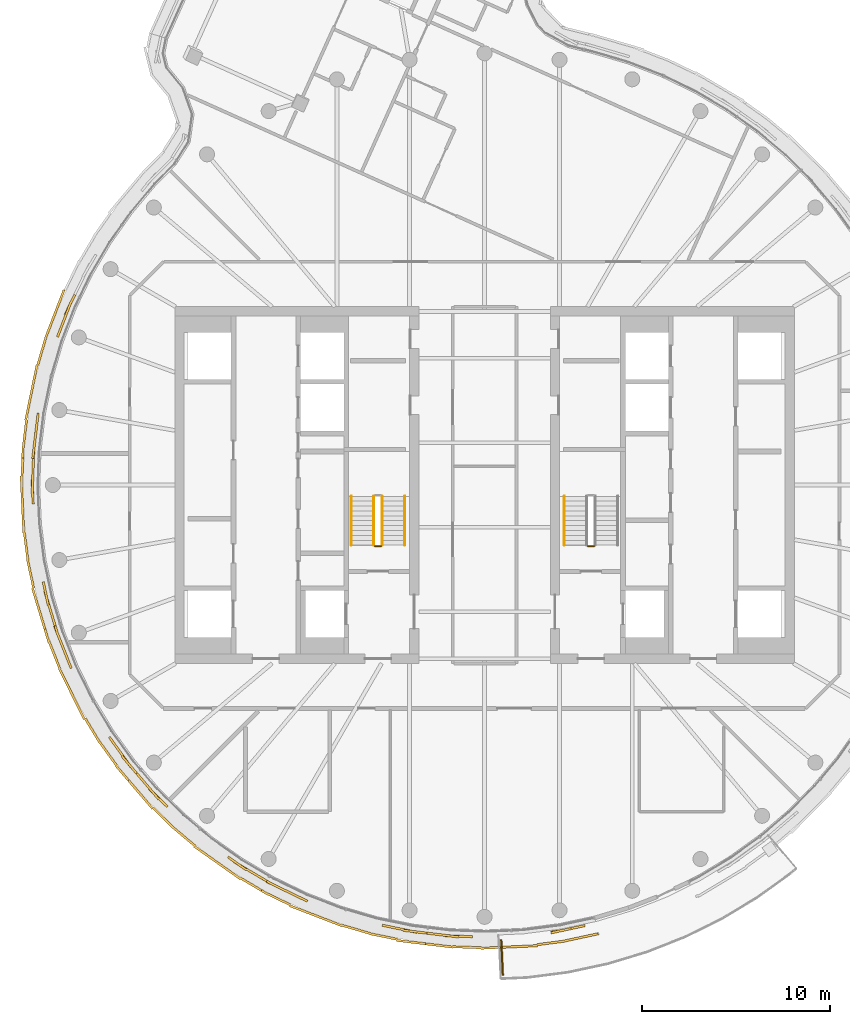
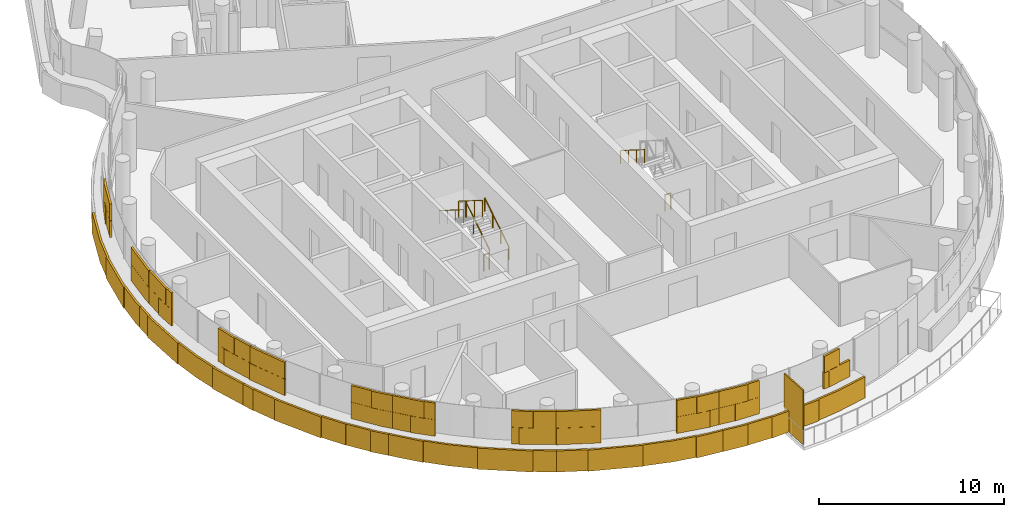
# One storey, part 17 of 21: 7 railings, 6 coverings, 1 shading device.
"""IFC4 building model written with IfcOpenShell, lengths in metres."""

from ifc_helpers import new_model, si_unit, direction, frame, origin, origin_2d, place, context, subcontext, project, spatial, rectangle, circle, extrude, material, layer, layer_set, type_object, element, save


model = new_model("IFC4")

# Units and contexts
model_context = context("Model", 3, precision=1e-05, world=origin(), true_north=direction((0.0, 1.0)))
body_context = subcontext(model_context, "Body", "Model", "MODEL_VIEW")
ifc_project = project(units=[si_unit("LENGTHUNIT", "METRE"), si_unit("AREAUNIT", "SQUARE_METRE"), si_unit("VOLUMEUNIT", "CUBIC_METRE"), si_unit("PLANEANGLEUNIT", "RADIAN"), si_unit("MASSUNIT", "GRAM", prefix="KILO")], contexts=[model_context])

# Site, building, storey
site_placement = place(None, origin())
site = spatial("IfcSite", under=ifc_project, at=site_placement, CompositionType="ELEMENT")
building_placement = place(site_placement, origin())
building = spatial("IfcBuilding", under=site, at=building_placement, Name="Tamarind Cross Interchange Tower", CompositionType="ELEMENT")
storey_placement = place(building_placement, frame((0.0, 0.0, 271.199951171875)))
storey = spatial("IfcBuildingStorey", under=building, at=storey_placement, Name="L69", CompositionType="ELEMENT", Elevation=271.199951171875)

# Shading device
ifc_material_1 = material(Name="Bronze-finish aluminium louvre", Category="aluminium")
ifc_layer_1 = layer(ifc_material_1, 0.080078125)
ifc_layer_set_1 = layer_set([ifc_layer_1], Name="Bronze-finish aluminium louvre")
shading_device_type = type_object("IfcShadingDeviceType", Name="Operable louvre bay", PredefinedType="JALOUSIE", material=ifc_layer_set_1)
shading_device_placement = place(storey_placement, origin())
element("IfcShadingDevice", 1, at=shading_device_placement, inside=storey, type_object=shading_device_type, Name="LVR-L69-BAL01", PredefinedType="JALOUSIE", context=body_context, shape_type="SweptSolid", body=[
    extrude(rectangle(XDim=1.89990234375, YDim=0.080078125, at=origin_2d()), frame((0.9287109375, -25.1591796875, 0.0), z_axis=(0.0, 0.0, 1.0), x_axis=(0.045624486728, -0.998958660912, 0.0)), (0.0, 0.0, 1.0), 3.60009765625),
])

# Railings
ifc_material_2 = material(Name="Stair guard")
railing_type_1 = type_object("IfcRailingType", Name="Stair guard", PredefinedType="GUARDRAIL", material=ifc_material_2)
railing_1_placement = place(storey_placement, frame((-5.449951171875, -3.199951171875, 0.16357421875)))
element("IfcRailing", 2, at=railing_1_placement, inside=storey, type_object=railing_type_1, Name="L69 ST1 stair guard 1", PredefinedType="GUARDRAIL", context=body_context, shape_type="SweptSolid", body=[
    extrude(circle(Radius=0.02392578125, at=origin_2d()), frame((0.0, 0.0, 1.076171875), z_axis=(0.0, 0.846301844409, 0.532703658848), x_axis=(-1.0, 0.0, 0.0)), (0.0, 0.0, 1.0), 3.072021484375),
    extrude(circle(Radius=0.02099609375, at=origin_2d()), origin(), (0.0, 0.0, 1.0), 1.052001953125),
    extrude(circle(Radius=0.02099609375, at=origin_2d()), frame((0.0, 0.86669921875, 0.54541015625)), (0.0, 0.0, 1.0), 1.052001953125),
    extrude(circle(Radius=0.02099609375, at=origin_2d()), frame((0.0, 1.733154296875, 1.091064453125)), (0.0, 0.0, 1.0), 1.052001953125),
    extrude(circle(Radius=0.02099609375, at=origin_2d()), frame((0.0, 2.599853515625, 1.636474609375)), (0.0, 0.0, 1.0), 1.052001953125),
])
railing_2_placement = place(storey_placement, frame((-5.89990234375, -0.60009765625, 1.963623046875)))
element("IfcRailing", 3, at=railing_2_placement, inside=storey, type_object=railing_type_1, Name="L69 ST1 stair guard 3", PredefinedType="GUARDRAIL", context=body_context, shape_type="SweptSolid", body=[
    extrude(circle(Radius=0.02392578125, at=origin_2d()), frame((0.0, 0.0, 1.076171875), z_axis=(0.0, -0.846301844409, 0.532703658848), x_axis=(1.0, 0.0, 0.0)), (0.0, 0.0, 1.0), 3.072021484375),
    extrude(circle(Radius=0.02099609375, at=origin_2d()), origin(), (0.0, 0.0, 1.0), 1.052001953125),
    extrude(circle(Radius=0.02099609375, at=origin_2d()), frame((0.0, -0.86669921875, 0.54541015625)), (0.0, 0.0, 1.0), 1.052001953125),
    extrude(circle(Radius=0.02099609375, at=origin_2d()), frame((0.0, -1.733154296875, 1.091064453125)), (0.0, 0.0, 1.0), 1.052001953125),
    extrude(circle(Radius=0.02099609375, at=origin_2d()), frame((0.0, -2.599853515625, 1.636474609375)), (0.0, 0.0, 1.0), 1.052001953125),
])
for number, where, name in (
    (4, (-5.5, -3.25, 0.0), "L69 ST1 stair guard 4"),
    (5, (5.85009765625, -3.25, 0.0), "L69 ST2 stair guard 4"),
):
    element("IfcRailing", number, at=place(storey_placement, frame(where)), inside=storey, type_object=railing_type_1, Name=name, PredefinedType="GUARDRAIL", context=body_context, shape_type="SweptSolid", body=[
        extrude(circle(Radius=0.02392578125, at=origin_2d()), frame((0.0, 0.0, 1.076171875), z_axis=(-1.0, 0.0, 0.0), x_axis=(0.0, -1.0, 0.0)), (0.0, 0.0, 1.0), 0.35009765625),
        extrude(circle(Radius=0.02099609375, at=origin_2d()), origin(), (0.0, 0.0, 1.0), 1.052001953125),
        extrude(circle(Radius=0.02099609375, at=origin_2d()), frame((-0.35009765625, 0.0, 0.0)), (0.0, 0.0, 1.0), 1.052001953125),
    ])
ifc_material_3 = material(Name="Stair handrail")
railing_type_2 = type_object("IfcRailingType", Name="Stair handrail", PredefinedType="HANDRAIL", material=ifc_material_3)
railing_3_placement = place(storey_placement, frame((-4.25, -3.199951171875, 0.16357421875)))
element("IfcRailing", 6, at=railing_3_placement, inside=storey, type_object=railing_type_2, Name="L69 ST1 stair handrail 1", PredefinedType="HANDRAIL", context=body_context, shape_type="SweptSolid", body=[
    extrude(circle(Radius=0.02392578125, at=origin_2d()), frame((0.0, 0.0, 0.8759765625), z_axis=(0.0, 0.846301844409, 0.532703658848), x_axis=(-1.0, 0.0, 0.0)), (0.0, 0.0, 1.0), 3.072021484375),
    extrude(circle(Radius=0.02099609375, at=origin_2d()), origin(), (0.0, 0.0, 1.0), 0.851806640625),
    extrude(circle(Radius=0.02099609375, at=origin_2d()), frame((0.0, 0.86669921875, 0.54541015625)), (0.0, 0.0, 1.0), 0.851806640625),
    extrude(circle(Radius=0.02099609375, at=origin_2d()), frame((0.0, 1.733154296875, 1.091064453125)), (0.0, 0.0, 1.0), 0.851806640625),
    extrude(circle(Radius=0.02099609375, at=origin_2d()), frame((0.0, 2.599853515625, 1.636474609375)), (0.0, 0.0, 1.0), 0.851806640625),
])
for number, where, name in (
    (7, (-7.10009765625, -0.60009765625, 1.963623046875), "L69 ST1 stair handrail 2"),
    (8, (4.25, -0.60009765625, 1.963623046875), "L69 ST2 stair handrail 2"),
):
    element("IfcRailing", number, at=place(storey_placement, frame(where)), inside=storey, type_object=railing_type_2, Name=name, PredefinedType="HANDRAIL", context=body_context, shape_type="SweptSolid", body=[
        extrude(circle(Radius=0.02392578125, at=origin_2d()), frame((0.0, 0.0, 0.8759765625), z_axis=(0.0, -0.846301844409, 0.532703658848), x_axis=(1.0, 0.0, 0.0)), (0.0, 0.0, 1.0), 3.072021484375),
        extrude(circle(Radius=0.02099609375, at=origin_2d()), origin(), (0.0, 0.0, 1.0), 0.851806640625),
        extrude(circle(Radius=0.02099609375, at=origin_2d()), frame((0.0, -0.86669921875, 0.54541015625)), (0.0, 0.0, 1.0), 0.851806640625),
        extrude(circle(Radius=0.02099609375, at=origin_2d()), frame((0.0, -1.733154296875, 1.091064453125)), (0.0, 0.0, 1.0), 0.851806640625),
        extrude(circle(Radius=0.02099609375, at=origin_2d()), frame((0.0, -2.599853515625, 1.636474609375)), (0.0, 0.0, 1.0), 0.851806640625),
    ])

# Coverings
ifc_material_4 = material(Name="Terracotta", Category="masonry")
ifc_layer_2 = layer(ifc_material_4, 0.1201171875)
ifc_layer_set_2 = layer_set([ifc_layer_2], Name="Terracotta")
covering_type = type_object("IfcCoveringType", Name="Terracotta baguette screen unit", PredefinedType="MOLDING", material=ifc_layer_set_2)
covering_1_placement = place(storey_placement, origin())
element("IfcCovering", 9, at=covering_1_placement, inside=storey, type_object=covering_type, Name="SCR-L69-01-02", PredefinedType="MOLDING", context=body_context, shape_type="SweptSolid", body=[
    extrude(rectangle(XDim=1.186279296875, YDim=0.1201171875, at=origin_2d()), frame((-22.087646484375, 9.60302734375, 1.40380859375), z_axis=(0.0, 0.0, 1.0), x_axis=(-0.435326231914, -0.900272776334, 0.0)), (0.0, 0.0, 1.0), 1.092041015625),
    extrude(rectangle(XDim=1.2548828125, YDim=0.1201171875, at=origin_2d()), frame((-22.52490234375, 8.47412109375, 1.40380859375), z_axis=(0.0, 0.0, 1.0), x_axis=(-0.359495435512, -0.933146843667, 0.0)), (0.0, 0.0, 1.0), 1.092041015625),
    extrude(rectangle(XDim=0.56494140625, YDim=0.1201171875, at=origin_2d()), frame((-23.811767578125, 3.55126953125, 1.40380859375), z_axis=(0.0, 0.0, 1.0), x_axis=(-0.119420963295, -0.992843710523, 0.0)), (0.0, 0.0, 1.0), 1.092041015625),
    extrude(rectangle(XDim=1.52001953125, YDim=0.1201171875, at=origin_2d()), frame((-23.9345703125, 2.531005859375, 1.40380859375), z_axis=(0.0, 0.0, 1.0), x_axis=(-0.119420963295, -0.992843710523, 0.0)), (0.0, 0.0, 1.0), 1.092041015625),
    extrude(rectangle(XDim=0.376220703125, YDim=0.1201171875, at=origin_2d()), frame((-24.0224609375, 1.602783203125, 1.40380859375), z_axis=(0.0, 0.0, 1.0), x_axis=(-0.037024696392, -0.999314350871, 0.0)), (0.0, 0.0, 1.0), 1.092041015625),
    extrude(rectangle(XDim=0.436279296875, YDim=0.1201171875, at=origin_2d()), frame((-21.924560546875, 9.940673828125, 2.50390625), z_axis=(0.0, 0.0, 1.0), x_axis=(-0.435326231914, -0.900272776334, 0.0)), (0.0, 0.0, 1.0), 1.092041015625),
    extrude(rectangle(XDim=1.52001953125, YDim=0.1201171875, at=origin_2d()), frame((-22.301025390625, 9.05517578125, 2.50390625), z_axis=(0.0, 0.0, 1.0), x_axis=(-0.359495435512, -0.933146843667, 0.0)), (0.0, 0.0, 1.0), 1.092041015625),
    extrude(rectangle(XDim=0.5048828125, YDim=0.1201171875, at=origin_2d()), frame((-22.65966796875, 8.124267578125, 2.50390625), z_axis=(0.0, 0.0, 1.0), x_axis=(-0.359495435512, -0.933146843667, 0.0)), (0.0, 0.0, 1.0), 1.092041015625),
    extrude(rectangle(XDim=1.31494140625, YDim=0.1201171875, at=origin_2d()), frame((-23.8564453125, 3.178955078125, 2.50390625), z_axis=(0.0, 0.0, 1.0), x_axis=(-0.119420963295, -0.992843710523, 0.0)), (0.0, 0.0, 1.0), 1.092041015625),
    extrude(rectangle(XDim=1.126220703125, YDim=0.1201171875, at=origin_2d()), frame((-24.001220703125, 1.97705078125, 2.50390625), z_axis=(0.0, 0.0, 1.0), x_axis=(-0.119420963295, -0.992843710523, 0.0)), (0.0, 0.0, 1.0), 1.092041015625),
    extrude(rectangle(XDim=1.260009765625, YDim=0.1201171875, at=origin_2d()), frame((-22.62646484375, 9.80712890625, 0.00390625), z_axis=(0.0, 0.0, 1.0), x_axis=(-0.359495435512, -0.933146843667, 0.0)), (0.0, 0.0, 1.0), 1.39208984375),
    extrude(rectangle(XDim=1.52001953125, YDim=0.1201171875, at=origin_2d()), frame((-23.119140625, 8.528564453125, 0.00390625), z_axis=(0.0, 0.0, 1.0), x_axis=(-0.359495435512, -0.933146843667, 0.0)), (0.0, 0.0, 1.0), 1.39208984375),
    extrude(rectangle(XDim=1.52001953125, YDim=0.1201171875, at=origin_2d()), frame((-23.593017578125, 7.10693359375, 0.00390625), z_axis=(0.0, 0.0, 1.0), x_axis=(-0.281208920763, -0.95964657186, 0.0)), (0.0, 0.0, 1.0), 1.39208984375),
    extrude(rectangle(XDim=1.52001953125, YDim=0.1201171875, at=origin_2d()), frame((-23.9912109375, 5.661376953125, 0.00390625), z_axis=(0.0, 0.0, 1.0), x_axis=(-0.201001463943, -0.9795909409, 0.0)), (0.0, 0.0, 1.0), 1.39208984375),
    extrude(rectangle(XDim=1.52001953125, YDim=0.1201171875, at=origin_2d()), frame((-24.292724609375, 4.192138671875, 0.00390625), z_axis=(0.0, 0.0, 1.0), x_axis=(-0.201001463943, -0.9795909409, 0.0)), (0.0, 0.0, 1.0), 1.39208984375),
    extrude(rectangle(XDim=1.52001953125, YDim=0.1201171875, at=origin_2d()), frame((-24.491455078125, 2.7060546875, 0.00390625), z_axis=(0.0, 0.0, 1.0), x_axis=(-0.119420963295, -0.992843710523, 0.0)), (0.0, 0.0, 1.0), 1.39208984375),
    extrude(rectangle(XDim=0.518310546875, YDim=0.1201171875, at=origin_2d()), frame((-24.593017578125, 1.712646484375, 0.00390625), z_axis=(0.0, 0.0, 1.0), x_axis=(-0.037024696392, -0.999314350871, 0.0)), (0.0, 0.0, 1.0), 1.39208984375),
])
covering_2_placement = place(storey_placement, origin())
element("IfcCovering", 10, at=covering_2_placement, inside=storey, type_object=covering_type, Name="SCR-L69-01-03", PredefinedType="MOLDING", context=body_context, shape_type="SweptSolid", body=[
    extrude(rectangle(XDim=1.143798828125, YDim=0.1201171875, at=origin_2d()), frame((-24.05029296875, 0.853271484375, 1.40380859375), z_axis=(0.0, 0.0, 1.0), x_axis=(-0.037024696392, -0.999314350871, 0.0)), (0.0, 0.0, 1.0), 1.092041015625),
    extrude(rectangle(XDim=1.2978515625, YDim=0.1201171875, at=origin_2d()), frame((-24.07421875, -0.356689453125, 1.40380859375), z_axis=(0.0, 0.0, 1.0), x_axis=(0.045624486728, -0.998958660912, 0.0)), (0.0, 0.0, 1.0), 1.092041015625),
    extrude(rectangle(XDim=0.52197265625, YDim=0.1201171875, at=origin_2d()), frame((-23.452880859375, -5.407958984375, 1.40380859375), z_axis=(0.0, 0.0, 1.0), x_axis=(0.209425419705, -0.977824623121, 0.0)), (0.0, 0.0, 1.0), 1.092041015625),
    extrude(rectangle(XDim=1.52001953125, YDim=0.1201171875, at=origin_2d()), frame((-23.211181640625, -6.3837890625, 1.40380859375), z_axis=(0.0, 0.0, 1.0), x_axis=(0.289458243079, -0.957190642199, 0.0)), (0.0, 0.0, 1.0), 1.092041015625),
    extrude(rectangle(XDim=0.419677734375, YDim=0.1201171875, at=origin_2d()), frame((-22.934814453125, -7.297607421875, 1.40380859375), z_axis=(0.0, 0.0, 1.0), x_axis=(0.289458243079, -0.957190642199, 0.0)), (0.0, 0.0, 1.0), 1.092041015625),
    extrude(rectangle(XDim=0.393798828125, YDim=0.1201171875, at=origin_2d()), frame((-24.036376953125, 1.22802734375, 2.50390625), z_axis=(0.0, 0.0, 1.0), x_axis=(-0.037024696392, -0.999314350871, 0.0)), (0.0, 0.0, 1.0), 1.092041015625),
    extrude(rectangle(XDim=1.52001953125, YDim=0.1201171875, at=origin_2d()), frame((-24.0712890625, 0.286865234375, 2.50390625), z_axis=(0.0, 0.0, 1.0), x_axis=(-0.037024696392, -0.999314350871, 0.0)), (0.0, 0.0, 1.0), 1.092041015625),
    extrude(rectangle(XDim=0.5478515625, YDim=0.1201171875, at=origin_2d()), frame((-24.05712890625, -0.731201171875, 2.50390625), z_axis=(0.0, 0.0, 1.0), x_axis=(0.045624486728, -0.998958660912, 0.0)), (0.0, 0.0, 1.0), 1.092041015625),
    extrude(rectangle(XDim=1.27197265625, YDim=0.1201171875, at=origin_2d()), frame((-23.37451171875, -5.774658203125, 2.50390625), z_axis=(0.0, 0.0, 1.0), x_axis=(0.209425419705, -0.977824623121, 0.0)), (0.0, 0.0, 1.0), 1.092041015625),
    extrude(rectangle(XDim=1.169677734375, YDim=0.1201171875, at=origin_2d()), frame((-23.04345703125, -6.938720703125, 2.50390625), z_axis=(0.0, 0.0, 1.0), x_axis=(0.289458243079, -0.957190642199, 0.0)), (0.0, 0.0, 1.0), 1.092041015625),
    extrude(rectangle(XDim=1.001708984375, YDim=0.1201171875, at=origin_2d()), frame((-24.62109375, 0.953125, 0.00390625), z_axis=(0.0, 0.0, 1.0), x_axis=(-0.037024696392, -0.999314350871, 0.0)), (0.0, 0.0, 1.0), 1.39208984375),
    extrude(rectangle(XDim=1.52001953125, YDim=0.1201171875, at=origin_2d()), frame((-24.652099609375, -0.286865234375, 0.00390625), z_axis=(0.0, 0.0, 1.0), x_axis=(0.045624486728, -0.998958660912, 0.0)), (0.0, 0.0, 1.0), 1.39208984375),
    extrude(rectangle(XDim=1.52001953125, YDim=0.1201171875, at=origin_2d()), frame((-24.58349609375, -1.78515625, 0.00390625), z_axis=(0.0, 0.0, 1.0), x_axis=(0.045624486728, -0.998958660912, 0.0)), (0.0, 0.0, 1.0), 1.39208984375),
    extrude(rectangle(XDim=1.52001953125, YDim=0.1201171875, at=origin_2d()), frame((-24.421142578125, -3.275390625, 0.00390625), z_axis=(0.0, 0.0, 1.0), x_axis=(0.127962008342, -0.991779070368, 0.0)), (0.0, 0.0, 1.0), 1.39208984375),
    extrude(rectangle(XDim=1.52001953125, YDim=0.1201171875, at=origin_2d()), frame((-24.179931640625, -4.754638671875, 0.00390625), z_axis=(0.0, 0.0, 1.0), x_axis=(0.209425419705, -0.977824623121, 0.0)), (0.0, 0.0, 1.0), 1.39208984375),
    extrude(rectangle(XDim=1.52001953125, YDim=0.1201171875, at=origin_2d()), frame((-23.8603515625, -6.219970703125, 0.00390625), z_axis=(0.0, 0.0, 1.0), x_axis=(0.289458243079, -0.957190642199, 0.0)), (0.0, 0.0, 1.0), 1.39208984375),
    extrude(rectangle(XDim=0.77734375, YDim=0.1201171875, at=origin_2d()), frame((-23.53369140625, -7.30029296875, 0.00390625), z_axis=(0.0, 0.0, 1.0), x_axis=(0.289458243079, -0.957190642199, 0.0)), (0.0, 0.0, 1.0), 1.39208984375),
])
covering_3_placement = place(storey_placement, origin())
element("IfcCovering", 11, at=covering_3_placement, inside=storey, type_object=covering_type, Name="SCR-L69-01-04", PredefinedType="MOLDING", context=body_context, shape_type="SweptSolid", body=[
    extrude(rectangle(XDim=1.100341796875, YDim=0.1201171875, at=origin_2d()), frame((-22.7099609375, -8.0126953125, 1.40380859375), z_axis=(0.0, 0.0, 1.0), x_axis=(0.367513773146, -0.930018078613, 0.0)), (0.0, 0.0, 1.0), 1.092041015625),
    extrude(rectangle(XDim=1.3408203125, YDim=0.1201171875, at=origin_2d()), frame((-22.264892578125, -9.138671875, 1.40380859375), z_axis=(0.0, 0.0, 1.0), x_axis=(0.367513773146, -0.930018078613, 0.0)), (0.0, 0.0, 1.0), 1.092041015625),
    extrude(rectangle(XDim=0.47900390625, YDim=0.1201171875, at=origin_2d()), frame((-19.85009765625, -13.6171875, 1.40380859375), z_axis=(0.0, 0.0, 1.0), x_axis=(0.584573890505, -0.811340475102, 0.0)), (0.0, 0.0, 1.0), 1.092041015625),
    extrude(rectangle(XDim=1.52001953125, YDim=0.1201171875, at=origin_2d()), frame((-19.274658203125, -14.416015625, 1.40380859375), z_axis=(0.0, 0.0, 1.0), x_axis=(0.584573890505, -0.811340475102, 0.0)), (0.0, 0.0, 1.0), 1.092041015625),
    extrude(rectangle(XDim=0.462158203125, YDim=0.1201171875, at=origin_2d()), frame((-18.67724609375, -15.18701171875, 1.40380859375), z_axis=(0.0, 0.0, 1.0), x_axis=(0.64957723968, -0.760295606781, 0.0)), (0.0, 0.0, 1.0), 1.092041015625),
    extrude(rectangle(XDim=0.350341796875, YDim=0.1201171875, at=origin_2d()), frame((-22.826416015625, -7.656494140625, 2.50390625), z_axis=(0.0, 0.0, 1.0), x_axis=(0.289458243079, -0.957190642199, 0.0)), (0.0, 0.0, 1.0), 1.092041015625),
    extrude(rectangle(XDim=1.52001953125, YDim=0.1201171875, at=origin_2d()), frame((-22.509521484375, -8.519775390625, 2.50390625), z_axis=(0.0, 0.0, 1.0), x_axis=(0.367513773146, -0.930018078613, 0.0)), (0.0, 0.0, 1.0), 1.092041015625),
    extrude(rectangle(XDim=0.5908203125, YDim=0.1201171875, at=origin_2d()), frame((-22.127197265625, -9.487548828125, 2.50390625), z_axis=(0.0, 0.0, 1.0), x_axis=(0.367513773146, -0.930018078613, 0.0)), (0.0, 0.0, 1.0), 1.092041015625),
    extrude(rectangle(XDim=1.22900390625, YDim=0.1201171875, at=origin_2d()), frame((-19.630859375, -13.92138671875, 2.50390625), z_axis=(0.0, 0.0, 1.0), x_axis=(0.584573890505, -0.811340475102, 0.0)), (0.0, 0.0, 1.0), 1.092041015625),
    extrude(rectangle(XDim=1.212158203125, YDim=0.1201171875, at=origin_2d()), frame((-18.9208984375, -14.90185546875, 2.50390625), z_axis=(0.0, 0.0, 1.0), x_axis=(0.64957723968, -0.760295606781, 0.0)), (0.0, 0.0, 1.0), 1.092041015625),
    extrude(rectangle(XDim=0.74267578125, YDim=0.1201171875, at=origin_2d()), frame((-23.313720703125, -8.02783203125, 0.00390625), z_axis=(0.0, 0.0, 1.0), x_axis=(0.289458243079, -0.957190642199, 0.0)), (0.0, 0.0, 1.0), 1.39208984375),
    extrude(rectangle(XDim=1.52001953125, YDim=0.1201171875, at=origin_2d()), frame((-22.911865234375, -9.063720703125, 0.00390625), z_axis=(0.0, 0.0, 1.0), x_axis=(0.367513773146, -0.930018078613, 0.0)), (0.0, 0.0, 1.0), 1.39208984375),
    extrude(rectangle(XDim=1.52001953125, YDim=0.1201171875, at=origin_2d()), frame((-22.323486328125, -10.4423828125, 0.00390625), z_axis=(0.0, 0.0, 1.0), x_axis=(0.443058811505, -0.896492548518, 0.0)), (0.0, 0.0, 1.0), 1.39208984375),
    extrude(rectangle(XDim=1.52001953125, YDim=0.1201171875, at=origin_2d()), frame((-21.658935546875, -11.787109375, 0.00390625), z_axis=(0.0, 0.0, 1.0), x_axis=(0.443058811505, -0.896492548518, 0.0)), (0.0, 0.0, 1.0), 1.39208984375),
    extrude(rectangle(XDim=1.52001953125, YDim=0.1201171875, at=origin_2d()), frame((-20.88916015625, -13.07421875, 0.00390625), z_axis=(0.0, 0.0, 1.0), x_axis=(0.515577308909, -0.856843065292, 0.0)), (0.0, 0.0, 1.0), 1.39208984375),
    extrude(rectangle(XDim=1.52001953125, YDim=0.1201171875, at=origin_2d()), frame((-20.052734375, -14.31787109375, 0.00390625), z_axis=(0.0, 0.0, 1.0), x_axis=(0.584573890505, -0.811340475102, 0.0)), (0.0, 0.0, 1.0), 1.39208984375),
    extrude(rectangle(XDim=1.03564453125, YDim=0.1201171875, at=origin_2d()), frame((-19.308837890625, -15.33154296875, 0.00390625), z_axis=(0.0, 0.0, 1.0), x_axis=(0.64957723968, -0.760295606781, 0.0)), (0.0, 0.0, 1.0), 1.39208984375),
])
covering_4_placement = place(storey_placement, origin())
element("IfcCovering", 12, at=covering_4_placement, inside=storey, type_object=covering_type, Name="SCR-L69-01-05", PredefinedType="MOLDING", context=body_context, shape_type="SweptSolid", body=[
    extrude(rectangle(XDim=1.057861328125, YDim=0.1201171875, at=origin_2d()), frame((-18.190185546875, -15.75732421875, 1.40380859375), z_axis=(0.0, 0.0, 1.0), x_axis=(0.64957723968, -0.760295606781, 0.0)), (0.0, 0.0, 1.0), 1.092041015625),
    extrude(rectangle(XDim=1.3837890625, YDim=0.1201171875, at=origin_2d()), frame((-17.380615234375, -16.656494140625, 1.40380859375), z_axis=(0.0, 0.0, 1.0), x_axis=(0.710143317658, -0.704057148523, 0.0)), (0.0, 0.0, 1.0), 1.092041015625),
    extrude(rectangle(XDim=0.43603515625, YDim=0.1201171875, at=origin_2d()), frame((-13.48876953125, -19.936279296875, 1.40380859375), z_axis=(0.0, 0.0, 1.0), x_axis=(0.816341886298, -0.577568978284, 0.0)), (0.0, 0.0, 1.0), 1.092041015625),
    extrude(rectangle(XDim=1.52001953125, YDim=0.1201171875, at=origin_2d()), frame((-12.681396484375, -20.459716796875, 1.40380859375), z_axis=(0.0, 0.0, 1.0), x_axis=(0.861248933065, -0.508183308752, 0.0)), (0.0, 0.0, 1.0), 1.092041015625),
    extrude(rectangle(XDim=0.505615234375, YDim=0.1201171875, at=origin_2d()), frame((-11.822265625, -20.966796875, 1.40380859375), z_axis=(0.0, 0.0, 1.0), x_axis=(0.861248933065, -0.508183308752, 0.0)), (0.0, 0.0, 1.0), 1.092041015625),
    extrude(rectangle(XDim=0.307861328125, YDim=0.1201171875, at=origin_2d()), frame((-18.43359375, -15.47216796875, 2.50390625), z_axis=(0.0, 0.0, 1.0), x_axis=(0.64957723968, -0.760295606781, 0.0)), (0.0, 0.0, 1.0), 1.092041015625),
    extrude(rectangle(XDim=1.52001953125, YDim=0.1201171875, at=origin_2d()), frame((-17.849853515625, -16.155517578125, 2.50390625), z_axis=(0.0, 0.0, 1.0), x_axis=(0.64957723968, -0.760295606781, 0.0)), (0.0, 0.0, 1.0), 1.092041015625),
    extrude(rectangle(XDim=0.6337890625, YDim=0.1201171875, at=origin_2d()), frame((-17.1142578125, -16.920654296875, 2.50390625), z_axis=(0.0, 0.0, 1.0), x_axis=(0.710143317658, -0.704057148523, 0.0)), (0.0, 0.0, 1.0), 1.092041015625),
    extrude(rectangle(XDim=1.18603515625, YDim=0.1201171875, at=origin_2d()), frame((-13.1826171875, -20.15283203125, 2.50390625), z_axis=(0.0, 0.0, 1.0), x_axis=(0.816341886298, -0.577568978284, 0.0)), (0.0, 0.0, 1.0), 1.092041015625),
    extrude(rectangle(XDim=1.255615234375, YDim=0.1201171875, at=origin_2d()), frame((-12.14501953125, -20.776123046875, 2.50390625), z_axis=(0.0, 0.0, 1.0), x_axis=(0.861248933065, -0.508183308752, 0.0)), (0.0, 0.0, 1.0), 1.092041015625),
    extrude(rectangle(XDim=0.484375, YDim=0.1201171875, at=origin_2d()), frame((-18.815185546875, -15.909423828125, 0.00390625), z_axis=(0.0, 0.0, 1.0), x_axis=(0.64957723968, -0.760295606781, 0.0)), (0.0, 0.0, 1.0), 1.39208984375),
    extrude(rectangle(XDim=1.52001953125, YDim=0.1201171875, at=origin_2d()), frame((-18.177001953125, -16.65625, 0.00390625), z_axis=(0.0, 0.0, 1.0), x_axis=(0.64957723968, -0.760295606781, 0.0)), (0.0, 0.0, 1.0), 1.39208984375),
    extrude(rectangle(XDim=1.52001953125, YDim=0.1201171875, at=origin_2d()), frame((-17.121826171875, -17.721435546875, 0.00390625), z_axis=(0.0, 0.0, 1.0), x_axis=(0.710143317658, -0.704057148523, 0.0)), (0.0, 0.0, 1.0), 1.39208984375),
    extrude(rectangle(XDim=1.52001953125, YDim=0.1201171875, at=origin_2d()), frame((-16.011962890625, -18.728759765625, 0.00390625), z_axis=(0.0, 0.0, 1.0), x_axis=(0.765858396687, -0.643009266048, 0.0)), (0.0, 0.0, 1.0), 1.39208984375),
    extrude(rectangle(XDim=1.52001953125, YDim=0.1201171875, at=origin_2d()), frame((-14.85009765625, -19.67626953125, 0.00390625), z_axis=(0.0, 0.0, 1.0), x_axis=(0.816341886298, -0.577568978284, 0.0)), (0.0, 0.0, 1.0), 1.39208984375),
    extrude(rectangle(XDim=1.52001953125, YDim=0.1201171875, at=origin_2d()), frame((-13.62548828125, -20.54248046875, 0.00390625), z_axis=(0.0, 0.0, 1.0), x_axis=(0.816341886298, -0.577568978284, 0.0)), (0.0, 0.0, 1.0), 1.39208984375),
    extrude(rectangle(XDim=1.294677734375, YDim=0.1201171875, at=origin_2d()), frame((-12.443115234375, -21.266845703125, 0.00390625), z_axis=(0.0, 0.0, 1.0), x_axis=(0.861248933065, -0.508183308752, 0.0)), (0.0, 0.0, 1.0), 1.39208984375),
])
covering_5_placement = place(storey_placement, origin())
element("IfcCovering", 13, at=covering_5_placement, inside=storey, type_object=covering_type, Name="SCR-L69-01-06", PredefinedType="MOLDING", context=body_context, shape_type="SweptSolid", body=[
    extrude(rectangle(XDim=1.014404296875, YDim=0.1201171875, at=origin_2d()), frame((-11.167236328125, -21.331298828125, 1.40380859375), z_axis=(0.0, 0.0, 1.0), x_axis=(0.900272776334, -0.435326231914, 0.0)), (0.0, 0.0, 1.0), 1.092041015625),
    extrude(rectangle(XDim=1.427001953125, YDim=0.1201171875, at=origin_2d()), frame((-10.077392578125, -21.8583984375, 1.40380859375), z_axis=(0.0, 0.0, 1.0), x_axis=(0.900272776334, -0.435326231914, 0.0)), (0.0, 0.0, 1.0), 1.092041015625),
    extrude(rectangle(XDim=0.39306640625, YDim=0.1201171875, at=origin_2d()), frame((-5.257568359375, -23.488037109375, 1.40380859375), z_axis=(0.0, 0.0, 1.0), x_axis=(0.9795909409, -0.201001463943, 0.0)), (0.0, 0.0, 1.0), 1.092041015625),
    extrude(rectangle(XDim=1.52001953125, YDim=0.1201171875, at=origin_2d()), frame((-4.335205078125, -23.67724609375, 1.40380859375), z_axis=(0.0, 0.0, 1.0), x_axis=(0.9795909409, -0.201001463943, 0.0)), (0.0, 0.0, 1.0), 1.092041015625),
    extrude(rectangle(XDim=0.54833984375, YDim=0.1201171875, at=origin_2d()), frame((-3.32958984375, -23.83837890625, 1.40380859375), z_axis=(0.0, 0.0, 1.0), x_axis=(0.992843710523, -0.119420963295, 0.0)), (0.0, 0.0, 1.0), 1.092041015625),
    extrude(rectangle(XDim=0.264404296875, YDim=0.1201171875, at=origin_2d()), frame((-11.499267578125, -21.157470703125, 2.50390625), z_axis=(0.0, 0.0, 1.0), x_axis=(0.861248933065, -0.508183308752, 0.0)), (0.0, 0.0, 1.0), 1.092041015625),
    extrude(rectangle(XDim=1.52001953125, YDim=0.1201171875, at=origin_2d()), frame((-10.715087890625, -21.550048828125, 2.50390625), z_axis=(0.0, 0.0, 1.0), x_axis=(0.900272776334, -0.435326231914, 0.0)), (0.0, 0.0, 1.0), 1.092041015625),
    extrude(rectangle(XDim=0.677001953125, YDim=0.1201171875, at=origin_2d()), frame((-9.73974609375, -22.021728515625, 2.50390625), z_axis=(0.0, 0.0, 1.0), x_axis=(0.900272776334, -0.435326231914, 0.0)), (0.0, 0.0, 1.0), 1.092041015625),
    extrude(rectangle(XDim=1.14306640625, YDim=0.1201171875, at=origin_2d()), frame((-4.89013671875, -23.5634765625, 2.50390625), z_axis=(0.0, 0.0, 1.0), x_axis=(0.9795909409, -0.201001463943, 0.0)), (0.0, 0.0, 1.0), 1.092041015625),
    extrude(rectangle(XDim=1.29833984375, YDim=0.1201171875, at=origin_2d()), frame((-3.701904296875, -23.793701171875, 2.50390625), z_axis=(0.0, 0.0, 1.0), x_axis=(0.992843710523, -0.119420963295, 0.0)), (0.0, 0.0, 1.0), 1.092041015625),
    extrude(rectangle(XDim=0.225341796875, YDim=0.1201171875, at=origin_2d()), frame((-11.78857421875, -21.653076171875, 0.00390625), z_axis=(0.0, 0.0, 1.0), x_axis=(0.861248933065, -0.508183308752, 0.0)), (0.0, 0.0, 1.0), 1.39208984375),
    extrude(rectangle(XDim=1.52001953125, YDim=0.1201171875, at=origin_2d()), frame((-11.027587890625, -22.03662109375, 0.00390625), z_axis=(0.0, 0.0, 1.0), x_axis=(0.900272776334, -0.435326231914, 0.0)), (0.0, 0.0, 1.0), 1.39208984375),
    extrude(rectangle(XDim=1.52001953125, YDim=0.1201171875, at=origin_2d()), frame((-9.67236328125, -22.678466796875, 0.00390625), z_axis=(0.0, 0.0, 1.0), x_axis=(0.933146843667, -0.359495435512, 0.0)), (0.0, 0.0, 1.0), 1.39208984375),
    extrude(rectangle(XDim=1.52001953125, YDim=0.1201171875, at=origin_2d()), frame((-8.272705078125, -23.2177734375, 0.00390625), z_axis=(0.0, 0.0, 1.0), x_axis=(0.933146843667, -0.359495435512, 0.0)), (0.0, 0.0, 1.0), 1.39208984375),
    extrude(rectangle(XDim=1.52001953125, YDim=0.1201171875, at=origin_2d()), frame((-6.843505859375, -23.670166015625, 0.00390625), z_axis=(0.0, 0.0, 1.0), x_axis=(0.95964657186, -0.281208920763, 0.0)), (0.0, 0.0, 1.0), 1.39208984375),
    extrude(rectangle(XDim=1.52001953125, YDim=0.1201171875, at=origin_2d()), frame((-5.392578125, -24.04638671875, 0.00390625), z_axis=(0.0, 0.0, 1.0), x_axis=(0.9795909409, -0.201001463943, 0.0)), (0.0, 0.0, 1.0), 1.39208984375),
    extrude(rectangle(XDim=1.52001953125, YDim=0.1201171875, at=origin_2d()), frame((-3.9228515625, -24.34521484375, 0.00390625), z_axis=(0.0, 0.0, 1.0), x_axis=(0.992843710523, -0.119420963295, 0.0)), (0.0, 0.0, 1.0), 1.39208984375),
    extrude(rectangle(XDim=0.052978515625, YDim=0.1201171875, at=origin_2d()), frame((-3.161865234375, -24.436767578125, 0.00390625), z_axis=(0.0, 0.0, 1.0), x_axis=(0.992843710523, -0.119420963295, 0.0)), (0.0, 0.0, 1.0), 1.39208984375),
])
covering_6_placement = place(storey_placement, origin())
element("IfcCovering", 14, at=covering_6_placement, inside=storey, type_object=covering_type, Name="SCR-L69-01-07", PredefinedType="MOLDING", context=body_context, shape_type="SweptSolid", body=[
    extrude(rectangle(XDim=0.9716796875, YDim=0.1201171875, at=origin_2d()), frame((-2.5849609375, -23.927978515625, 1.40380859375), z_axis=(0.0, 0.0, 1.0), x_axis=(0.992843710523, -0.119420963295, 0.0)), (0.0, 0.0, 1.0), 1.092041015625),
    extrude(rectangle(XDim=1.469970703125, YDim=0.1201171875, at=origin_2d()), frame((-1.379638671875, -24.03076171875, 1.40380859375), z_axis=(0.0, 0.0, 1.0), x_axis=(0.999314350871, -0.037024696392, 0.0)), (0.0, 0.0, 1.0), 1.092041015625),
    extrude(rectangle(XDim=0.35009765625, YDim=0.1201171875, at=origin_2d()), frame((3.703857421875, -23.787109375, 1.40380859375), z_axis=(0.0, 0.0, 1.0), x_axis=(0.991779070368, 0.127962008342, 0.0)), (0.0, 0.0, 1.0), 1.092041015625),
    extrude(rectangle(XDim=1.52001953125, YDim=0.1201171875, at=origin_2d()), frame((4.608642578125, -23.624267578125, 1.40380859375), z_axis=(0.0, 0.0, 1.0), x_axis=(0.977824623121, 0.209425419705, 0.0)), (0.0, 0.0, 1.0), 1.092041015625),
    extrude(rectangle(XDim=0.2216796875, YDim=0.1201171875, at=origin_2d()), frame((-2.957275390625, -23.88330078125, 2.50390625), z_axis=(0.0, 0.0, 1.0), x_axis=(0.992843710523, -0.119420963295, 0.0)), (0.0, 0.0, 1.0), 1.092041015625),
    extrude(rectangle(XDim=1.52001953125, YDim=0.1201171875, at=origin_2d()), frame((-2.107666015625, -23.9853515625, 2.50390625), z_axis=(0.0, 0.0, 1.0), x_axis=(0.992843710523, -0.119420963295, 0.0)), (0.0, 0.0, 1.0), 1.092041015625),
    extrude(rectangle(XDim=0.719970703125, YDim=0.1201171875, at=origin_2d()), frame((-1.0048828125, -24.044677734375, 2.50390625), z_axis=(0.0, 0.0, 1.0), x_axis=(0.999314350871, -0.037024696392, 0.0)), (0.0, 0.0, 1.0), 1.092041015625),
    extrude(rectangle(XDim=1.10009765625, YDim=0.1201171875, at=origin_2d()), frame((4.07568359375, -23.73828125, 2.50390625), z_axis=(0.0, 0.0, 1.0), x_axis=(0.977824623121, 0.209425419705, 0.0)), (0.0, 0.0, 1.0), 1.092041015625),
    extrude(rectangle(XDim=1.467041015625, YDim=0.1201171875, at=origin_2d()), frame((-2.4072265625, -24.527587890625, 0.00390625), z_axis=(0.0, 0.0, 1.0), x_axis=(0.992843710523, -0.119420963295, 0.0)), (0.0, 0.0, 1.0), 1.39208984375),
    extrude(rectangle(XDim=1.52001953125, YDim=0.1201171875, at=origin_2d()), frame((-0.93798828125, -24.62158203125, 0.00390625), z_axis=(0.0, 0.0, 1.0), x_axis=(0.999314350871, -0.037024696392, 0.0)), (0.0, 0.0, 1.0), 1.39208984375),
    extrude(rectangle(XDim=1.52001953125, YDim=0.1201171875, at=origin_2d()), frame((0.560791015625, -24.639404296875, 0.00390625), z_axis=(0.0, 0.0, 1.0), x_axis=(0.998958660912, 0.045624486728, 0.0)), (0.0, 0.0, 1.0), 1.39208984375),
    extrude(rectangle(XDim=1.52001953125, YDim=0.1201171875, at=origin_2d()), frame((2.059326171875, -24.571044921875, 0.00390625), z_axis=(0.0, 0.0, 1.0), x_axis=(0.998958660912, 0.045624486728, 0.0)), (0.0, 0.0, 1.0), 1.39208984375),
    extrude(rectangle(XDim=1.52001953125, YDim=0.1201171875, at=origin_2d()), frame((3.547607421875, -24.385986328125, 0.00390625), z_axis=(0.0, 0.0, 1.0), x_axis=(0.991779070368, 0.127962008342, 0.0)), (0.0, 0.0, 1.0), 1.39208984375),
    extrude(rectangle(XDim=1.52001953125, YDim=0.1201171875, at=origin_2d()), frame((5.02294921875, -24.122314453125, 0.00390625), z_axis=(0.0, 0.0, 1.0), x_axis=(0.977824623121, 0.209425419705, 0.0)), (0.0, 0.0, 1.0), 1.39208984375),
    extrude(rectangle(XDim=0.31201171875, YDim=0.1201171875, at=origin_2d()), frame((5.899169921875, -23.934814453125, 0.00390625), z_axis=(0.0, 0.0, 1.0), x_axis=(0.977824623121, 0.209425419705, 0.0)), (0.0, 0.0, 1.0), 1.39208984375),
])

save(model, "model.ifc")
